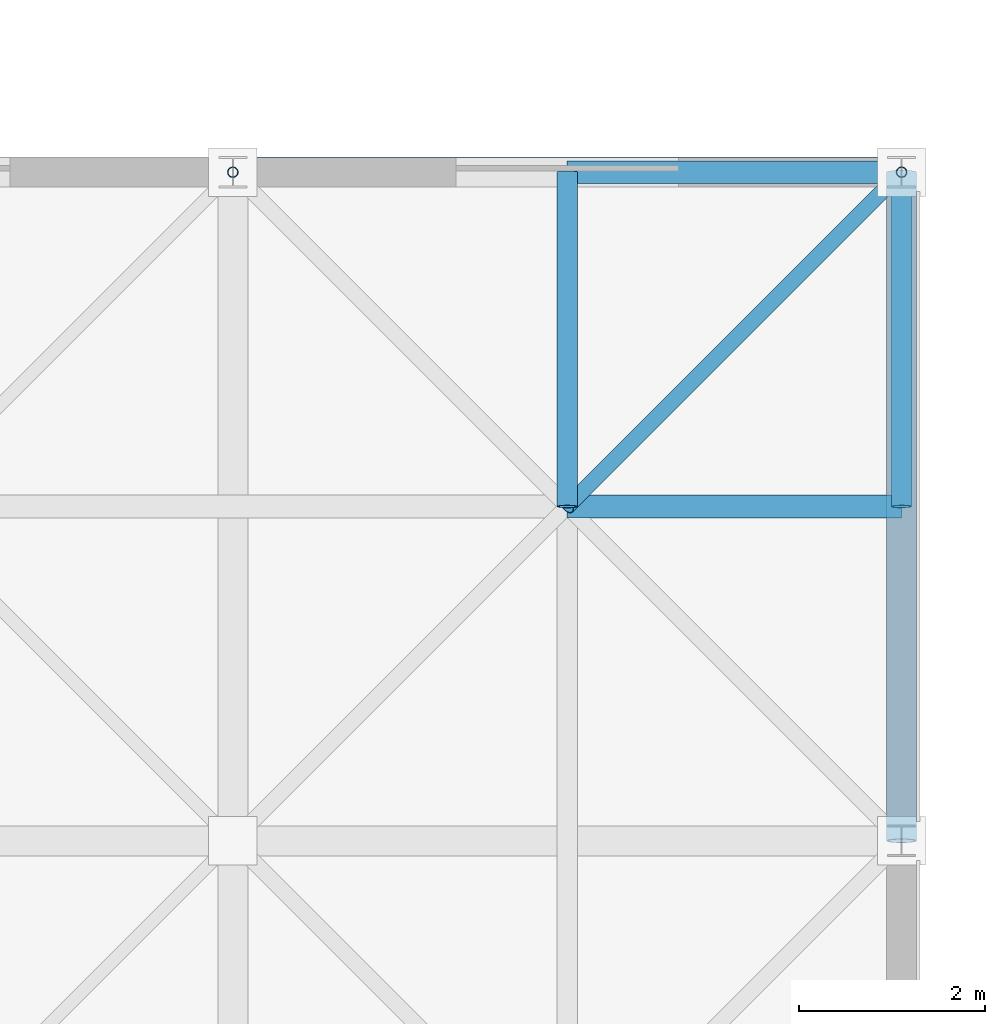
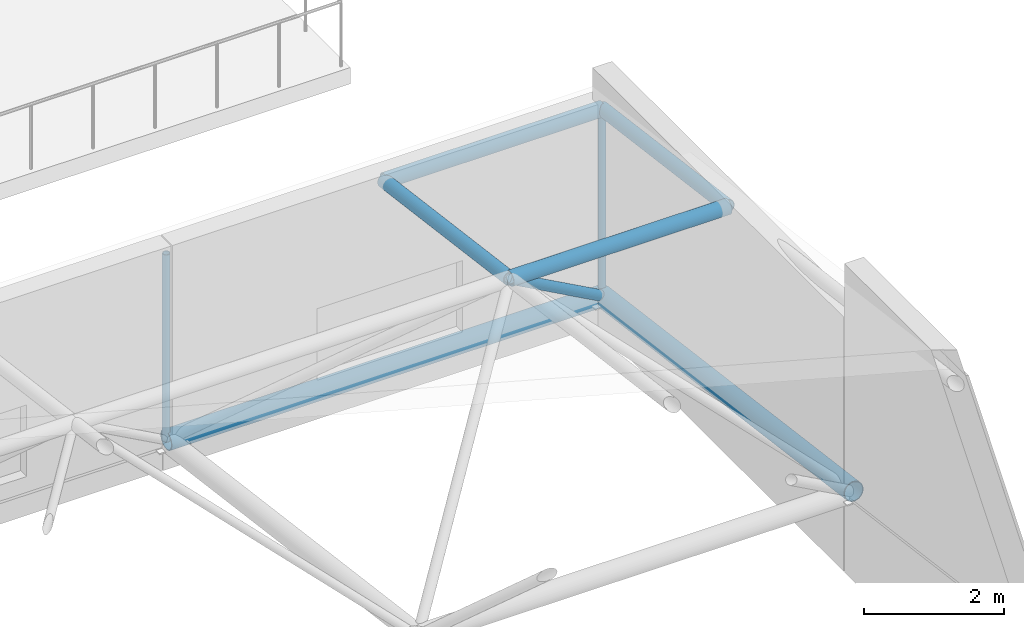
# One storey, part 62 of 103: 9 members.
"""IFC4 building model written with IfcOpenShell, lengths in metres."""

import ifcopenshell
import ifcopenshell.guid

model = None  # the IFC model being written
_history = None  # IfcOwnerHistory: only IFC2X3 demands one
_inside = {}  # id of a spatial element -> (the spatial element, [elements in it])
_under = {}  # id of a project, library or spatial element -> (it, [spatial elements below it])
_declared = {}  # id of a project -> (the project, [libraries it declares])
_typed = {}  # id of a type object -> (the type object, [elements of that type])
_made_of = {}  # id of a material, layer set ... -> (it, [elements and type objects made of it])


def new_model(schema):
    """Start an empty IFC model of exactly this schema.

    Asked for "IFC4X3", IfcOpenShell would pick the latest addendum, in which some entities
    have other attributes; the version numbers below select the first issue.
    IFC2X3 requires an IfcOwnerHistory on every rooted entity: one is made here for all.
    """
    global model, _history
    if schema == "IFC4X3":
        model = ifcopenshell.file(schema_version=(4, 3, 0, 0))
    else:
        model = ifcopenshell.file(schema=schema)
    _inside.clear()
    _under.clear()
    _declared.clear()
    _typed.clear()
    _made_of.clear()
    _history = None
    if model.schema == "IFC2X3":
        org = make("IfcOrganization", Name="unknown")
        user = make(
            "IfcPersonAndOrganization",
            ThePerson=make("IfcPerson", FamilyName="unknown"),
            TheOrganization=org,
        )
        app = make(
            "IfcApplication",
            ApplicationDeveloper=org,
            Version="unknown",
            ApplicationFullName="unknown",
            ApplicationIdentifier="unknown",
        )
        _history = make(
            "IfcOwnerHistory",
            OwningUser=user,
            OwningApplication=app,
            ChangeAction="ADDED",
            CreationDate=0,
        )
    return model


def make(cls, **values):
    """One entity of the class cls with the attributes given. An attribute that is None is left unset."""
    return model.create_entity(
        cls, **{name: value for name, value in values.items() if value is not None}
    )


def rooted(cls, **values):
    """An entity with a GlobalId (a new one), such as an element, a storey or a relation."""
    return make(cls, GlobalId=ifcopenshell.guid.new(), OwnerHistory=_history, **values)


def si_unit(unit_type, name, prefix=None):
    """IfcSIUnit, for example si_unit("LENGTHUNIT", "METRE", prefix="MILLI")."""
    return make("IfcSIUnit", UnitType=unit_type, Prefix=prefix, Name=name)


def assignment(units):
    """IfcUnitAssignment: the units of a project."""
    return None if units is None else make("IfcUnitAssignment", Units=units)


def point(xyz):
    """IfcCartesianPoint."""
    return None if xyz is None else make("IfcCartesianPoint", Coordinates=xyz)


def direction(xyz):
    """IfcDirection."""
    return None if xyz is None else make("IfcDirection", DirectionRatios=xyz)


def frame(location, z_axis=None, x_axis=None):
    """IfcAxis2Placement3D, a coordinate frame: its origin and axes. An axis left out is left unset."""
    return make(
        "IfcAxis2Placement3D",
        Location=point(location),
        Axis=direction(z_axis),
        RefDirection=direction(x_axis),
    )


def frame_2d(location, x_axis=None):
    """IfcAxis2Placement2D, a coordinate frame in the plane: its origin and x axis."""
    return make(
        "IfcAxis2Placement2D", Location=point(location), RefDirection=direction(x_axis)
    )


def origin():
    """The frame at (0, 0, 0) with its axes left unset."""
    return frame((0.0, 0.0, 0.0))


def origin_2d():
    """The frame at (0, 0) in the plane with its x axis left unset."""
    return frame_2d((0.0, 0.0))


def place(relative_to, where):
    """IfcLocalPlacement: puts the frame where relative to a parent placement (None: the world)."""
    return make(
        "IfcLocalPlacement", PlacementRelTo=relative_to, RelativePlacement=where
    )


def context(
    kind, dimensions, precision=None, world=None, true_north=None, identifier=None
):
    """IfcGeometricRepresentationContext, for example the 3D "Model" context."""
    return make(
        "IfcGeometricRepresentationContext",
        ContextIdentifier=identifier,
        ContextType=kind,
        CoordinateSpaceDimension=dimensions,
        Precision=precision,
        WorldCoordinateSystem=world,
        TrueNorth=true_north,
    )


def subcontext(parent, identifier, kind, view, scale=None):
    """IfcGeometricRepresentationSubContext, for example "Body" below "Model"."""
    return make(
        "IfcGeometricRepresentationSubContext",
        ContextIdentifier=identifier,
        ContextType=kind,
        ParentContext=parent,
        TargetScale=scale,
        TargetView=view,
    )


def project(units=None, contexts=None):
    """IfcProject with its units and contexts."""
    return rooted(
        "IfcProject",
        Name="project",
        RepresentationContexts=contexts,
        UnitsInContext=assignment(units),
    )


def spatial(cls, under=None, at=None, **own):
    """A site, building, storey or space (cls), placed at a placement, below another one or the project."""
    s = rooted(cls, ObjectPlacement=at, **own)
    if under is not None:
        _under.setdefault(under.id(), (under, []))[1].append(s)
    return s


def profile(cls, at=None, kind="AREA", **sizes):
    """A parametric profile (cls). Its sizes go by their IFC names, for example OverallWidth=200.0."""
    return make(cls, ProfileType=kind, Position=at, **sizes)


def hollow_circle(**sizes):
    """IfcCircleHollowProfileDef."""
    return profile("IfcCircleHollowProfileDef", **sizes)


def extrude(swept, where, along, depth):
    """IfcExtrudedAreaSolid: the profile swept, set in the frame where, extruded along a direction by depth."""
    return make(
        "IfcExtrudedAreaSolid",
        SweptArea=swept,
        Position=where,
        ExtrudedDirection=direction(along),
        Depth=depth,
    )


def shape(context_of_items, identifier, shape_type, items):
    """IfcShapeRepresentation: the items that make up one representation, for example the "Body"."""
    return make(
        "IfcShapeRepresentation",
        ContextOfItems=context_of_items,
        RepresentationIdentifier=identifier,
        RepresentationType=shape_type,
        Items=items,
    )


def material(Name=None, Category=None):
    """IfcMaterial."""
    return make("IfcMaterial", Name=Name, Category=Category)


def material_profile(
    of_material, cross_section, Name=None, Category=None, Priority=None
):
    """IfcMaterialProfile: a cross section and its material."""
    return make(
        "IfcMaterialProfile",
        Name=Name,
        Material=of_material,
        Profile=cross_section,
        Priority=Priority,
        Category=Category,
    )


def profile_set(profiles, Name=None, composite=None):
    """IfcMaterialProfileSet."""
    return make(
        "IfcMaterialProfileSet",
        Name=Name,
        MaterialProfiles=profiles,
        CompositeProfile=composite,
    )


def made_of(thing, what):
    """Note that an element or type object is made of a material, layer set ...; save() writes the relation."""
    if what is not None:
        _made_of.setdefault(what.id(), (what, []))[1].append(thing)
    return thing


def type_object(cls, material=None, **own):
    """A type object (cls), such as IfcWallType, which elements share."""
    return made_of(rooted(cls, **own), material)


def element(
    cls,
    number,
    at=None,
    inside=None,
    cuts=None,
    type_object=None,
    material=None,
    context=None,
    identifier="Body",
    shape_type=None,
    held_by="IfcProductDefinitionShape",
    body=None,
    shapes=None,
    **own,
):
    """One element of the class cls, such as IfcWall. Its Tag is "e" and its number.

    at: its placement. inside: the storey or other place that contains it. cuts: it is an
    opening in that element (IfcRelVoidsElement). A single representation is given by context,
    identifier, shape_type and body (its items); several are given by shapes. held_by: the class
    of the entity that holds the representations. save() writes the other relations.
    """
    e = rooted(cls, Tag="e%d" % number, ObjectPlacement=at, **own)
    if body is not None:
        shapes = [shape(context, identifier, shape_type, body)]
    if shapes is not None:
        e.Representation = make(held_by, Representations=shapes)
    if inside is not None:
        _inside.setdefault(inside.id(), (inside, []))[1].append(e)
    if cuts is not None:
        rooted(
            "IfcRelVoidsElement", RelatingBuildingElement=cuts, RelatedOpeningElement=e
        )
    if type_object is not None:
        _typed.setdefault(type_object.id(), (type_object, []))[1].append(e)
    return made_of(e, material)


def aggregate(whole, parts):
    """IfcRelAggregates: a whole, such as a stair, and the parts it consists of."""
    return rooted("IfcRelAggregates", RelatingObject=whole, RelatedObjects=parts)


def save(model, path):
    """Write the relations noted so far, then the file.

    IfcRelAggregates (storeys below a building ...), IfcRelContainedInSpatialStructure (elements
    in a storey), IfcRelDefinesByType, IfcRelAssociatesMaterial and IfcRelDeclares: one each for
    every whole, place, type object, material and project.
    """
    for whole, parts in _under.values():
        aggregate(whole, parts)
    for where, things in _inside.values():
        rooted(
            "IfcRelContainedInSpatialStructure",
            RelatedElements=things,
            RelatingStructure=where,
        )
    for kind, things in _typed.values():
        rooted("IfcRelDefinesByType", RelatedObjects=things, RelatingType=kind)
    for what, things in _made_of.values():
        rooted("IfcRelAssociatesMaterial", RelatedObjects=things, RelatingMaterial=what)
    for by, libraries in _declared.values():
        rooted("IfcRelDeclares", RelatingContext=by, RelatedDefinitions=libraries)
    model.write(path)


model = new_model("IFC4")

# Units and contexts
model_context = context("Model", 3, precision=1e-05, world=origin(), true_north=direction((0.0, 1.0)))
body_context = subcontext(model_context, "Body", "Model", "MODEL_VIEW")
ifc_project = project(units=[si_unit("LENGTHUNIT", "METRE"), si_unit("AREAUNIT", "SQUARE_METRE"), si_unit("VOLUMEUNIT", "CUBIC_METRE"), si_unit("PLANEANGLEUNIT", "RADIAN"), si_unit("MASSUNIT", "GRAM", prefix="KILO")], contexts=[model_context])

# Site, building, storey
site_placement = place(None, origin())
site = spatial("IfcSite", under=ifc_project, at=site_placement, CompositionType="ELEMENT")
building_placement = place(site_placement, origin())
building = spatial("IfcBuilding", under=site, at=building_placement, Name="Thalmaran Polytechnic", CompositionType="ELEMENT")
storey_placement = place(building_placement, frame((0.0, 0.0, 14.39990234375)))
storey = spatial("IfcBuildingStorey", under=building, at=storey_placement, Name="L03", CompositionType="ELEMENT", Elevation=14.39990234375)

# Members
ifc_material = material(Name="Steel S355", Category="steel")
ifc_material_profile_1 = material_profile(ifc_material, hollow_circle(Radius=0.161865234375, WallThickness=0.012451171875, at=origin_2d()), Name="CHS 323.9x12.5")
ifc_profile_set_1 = profile_set([ifc_material_profile_1], Name="Steel S355")
member_type_1 = type_object("IfcMemberType", Name="MB-SFC0", PredefinedType="CHORD", material=ifc_profile_set_1)
member_1_placement = place(storey_placement, frame((165.60009765625, 50.39990234375, 0.380126953125), z_axis=(1.0, 0.0, 0.0), x_axis=(0.0, 1.0, 0.0)))
element("IfcMember", 1, at=member_1_placement, inside=storey, type_object=member_type_1, Name="Space-Frame Bottom Chord X (8,8)", PredefinedType="CHORD", context=body_context, shape_type="SweptSolid", body=[
    extrude(hollow_circle(Radius=0.161865234375, WallThickness=0.012451171875, at=origin_2d()), origin(), (0.0, 0.0, 1.0), 7.199951171875),
])
member_2_placement = place(storey_placement, frame((172.800048828125, 43.199951171875, 1.327880859375), z_axis=(0.0, 0.991447314079, -0.130507560722), x_axis=(-1.0, 0.0, 0.0)))
element("IfcMember", 2, at=member_2_placement, inside=storey, type_object=member_type_1, Name="Space-Frame Bottom Chord Y (9,7)", PredefinedType="CHORD", context=body_context, shape_type="SweptSolid", body=[
    extrude(hollow_circle(Radius=0.161865234375, WallThickness=0.012451171875, at=origin_2d()), origin(), (0.0, 0.0, 1.0), 7.261962890625),
])
ifc_material_profile_2 = material_profile(ifc_material, hollow_circle(Radius=0.122314453125, WallThickness=0.010009765625, at=origin_2d()), Name="CHS 244.5x10.0")
ifc_profile_set_2 = profile_set([ifc_material_profile_2], Name="Steel S355")
member_type_2 = type_object("IfcMemberType", Name="MB-SFC1", PredefinedType="CHORD", material=ifc_profile_set_2)
for number, where, z_axis, x_axis, name in (
    (3, (169.199951171875, 46.800048828125, 4.1240234375), (1.0, 0.0, 0.0), (0.0, 1.0, 0.0), "Space-Frame Top Chord X (9,8)"),
    (4, (169.199951171875, 50.39990234375, 3.650146484375), (1.0, 0.0, 0.0), (0.0, 1.0, 0.0), "Space-Frame Top Chord X (9,9)"),
):
    element("IfcMember", number, at=place(storey_placement, frame(where, z_axis=z_axis, x_axis=x_axis)), inside=storey, type_object=member_type_2, Name=name, PredefinedType="CHORD", context=body_context, shape_type="SweptSolid", body=[
        extrude(hollow_circle(Radius=0.122314453125, WallThickness=0.010009765625, at=origin_2d()), origin(), (0.0, 0.0, 1.0), 3.60009765625),
    ])
ifc_material_profile_3 = material_profile(ifc_material, hollow_circle(Radius=0.109619140625, WallThickness=0.010009765625, at=origin_2d()), Name="CHS 219.1x10.0")
ifc_profile_set_3 = profile_set([ifc_material_profile_3], Name="Steel S355")
member_type_3 = type_object("IfcMemberType", Name="MB-SFC2", PredefinedType="CHORD", material=ifc_profile_set_3)
for number, where, z_axis, x_axis, name in (
    (5, (169.199951171875, 46.800048828125, 4.1240234375), (0.0, 0.99144674145, -0.130511910828), (-1.0, 0.0, 0.0), "Space-Frame Top Chord Y (9,8)"),
    (6, (172.800048828125, 46.800048828125, 4.1240234375), (0.0, 0.99144674145, -0.130511910828), (-1.0, 0.0, 0.0), "Space-Frame Top Chord Y (10,8)"),
):
    element("IfcMember", number, at=place(storey_placement, frame(where, z_axis=z_axis, x_axis=x_axis)), inside=storey, type_object=member_type_3, Name=name, PredefinedType="CHORD", context=body_context, shape_type="SweptSolid", body=[
        extrude(hollow_circle(Radius=0.109619140625, WallThickness=0.010009765625, at=origin_2d()), origin(), (0.0, 0.0, 1.0), 3.630859375),
    ])
ifc_material_profile_4 = material_profile(ifc_material, hollow_circle(Radius=0.084228515625, WallThickness=0.008056640625, at=origin_2d()), Name="CHS 168.3x8.0")
ifc_profile_set_4 = profile_set([ifc_material_profile_4], Name="Steel S355")
member_type_4 = type_object("IfcMemberType", Name="MB-SFD1", PredefinedType="BRACE", material=ifc_profile_set_4)
member_3_placement = place(storey_placement, frame((172.800048828125, 50.39990234375, 0.380126953125), z_axis=(-0.569678427494, -0.569639794751, 0.592433113089), x_axis=(0.707082803744, -0.707130757816, 0.0)))
element("IfcMember", 7, at=member_3_placement, inside=storey, type_object=member_type_4, Name="Space-Frame Web Diagonal (8,7)-4", PredefinedType="BRACE", context=body_context, shape_type="SweptSolid", body=[
    extrude(hollow_circle(Radius=0.084228515625, WallThickness=0.008056640625, at=origin_2d()), origin(), (0.0, 0.0, 1.0), 6.319580078125),
])
ifc_material_profile_5 = material_profile(ifc_material, hollow_circle(Radius=0.05712890625, WallThickness=0.00634765625, at=origin_2d()), Name="CHS 114.3x6.3")
ifc_profile_set_5 = profile_set([ifc_material_profile_5], Name="Steel S355")
member_type_5 = type_object("IfcMemberType", Name="MB-SFD3", PredefinedType="BRACE", material=ifc_profile_set_5)
for number, where, z_axis, x_axis, name in (
    (8, (165.60009765625, 50.39990234375, 0.380126953125), (0.0, 0.0, 1.0), (1.0, 0.0, 0.0), "Space-Frame Eave Post (8,8)"),
    (9, (172.800048828125, 50.39990234375, 0.380126953125), (0.0, 0.0, 1.0), (1.0, 0.0, 0.0), "Space-Frame Eave Post (9,8)"),
):
    element("IfcMember", number, at=place(storey_placement, frame(where, z_axis=z_axis, x_axis=x_axis)), inside=storey, type_object=member_type_5, Name=name, PredefinedType="BRACE", context=body_context, shape_type="SweptSolid", body=[
        extrude(hollow_circle(Radius=0.05712890625, WallThickness=0.00634765625, at=origin_2d()), origin(), (0.0, 0.0, 1.0), 3.27001953125),
    ])

save(model, "model.ifc")
